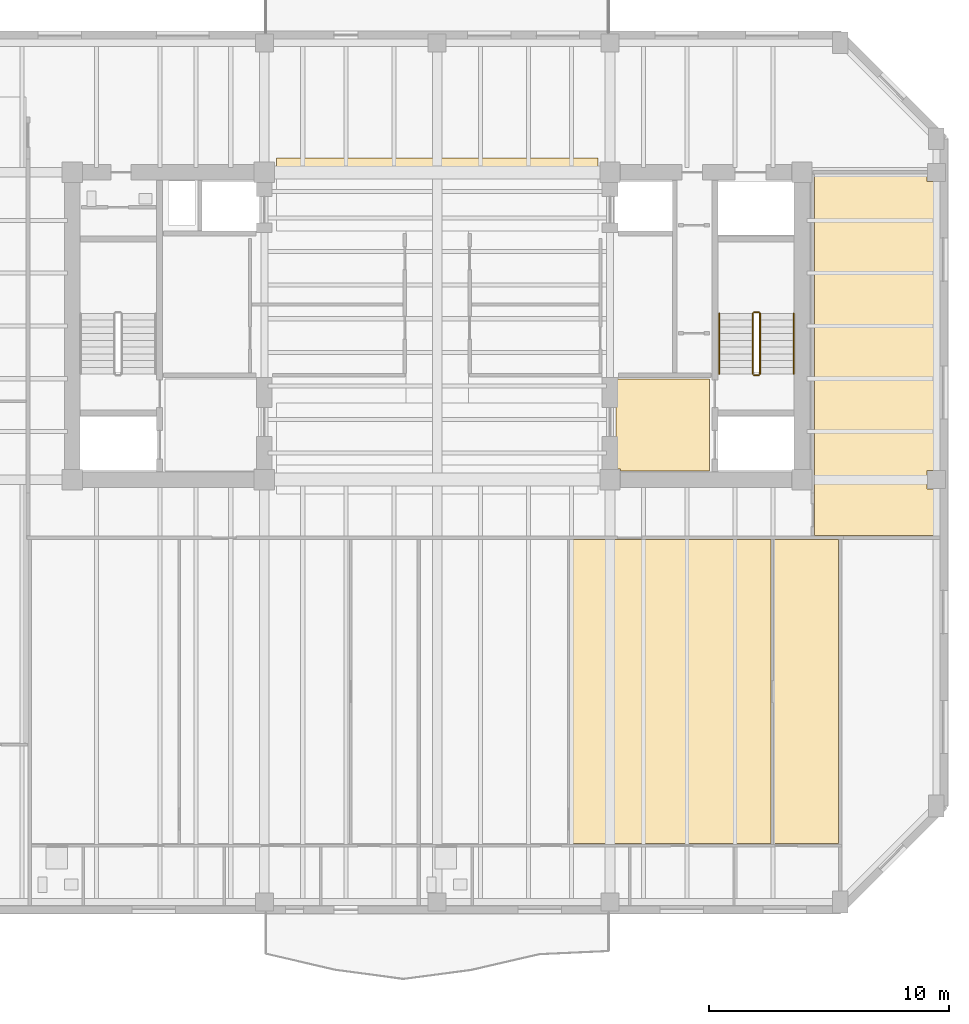
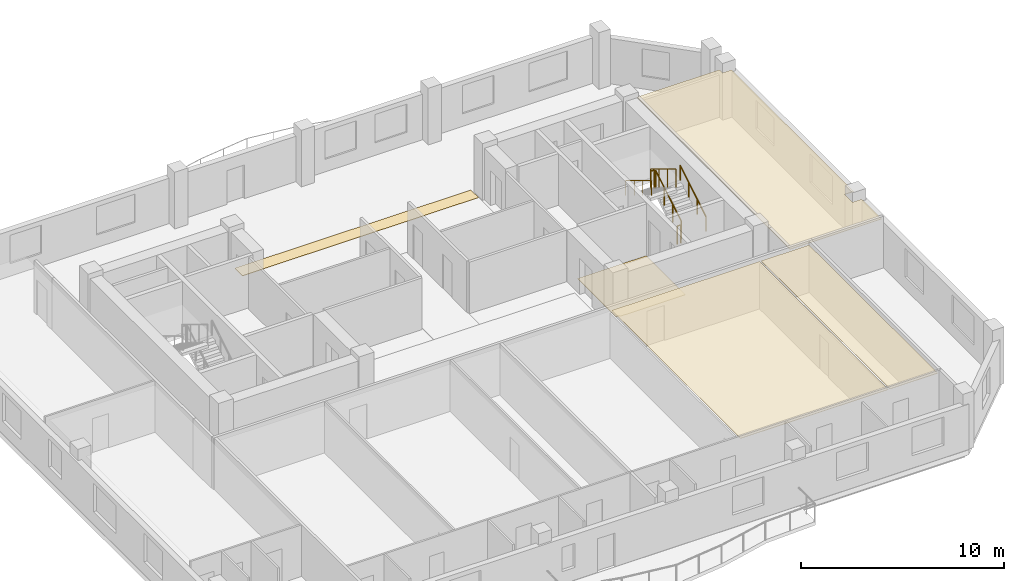
# One storey, part 9 of 11: 6 railings, 5 coverings.
"""IFC4 building model written with IfcOpenShell, lengths in metres."""

from ifc_helpers import new_model, si_unit, direction, frame, origin, origin_2d, place, context, subcontext, project, spatial, polyline, circle, outline, extrude, material, layer, layer_set, type_object, element, save


model = new_model("IFC4")

# Units and contexts
model_context = context("Model", 3, precision=1e-05, world=origin(), true_north=direction((0.0, 1.0)))
body_context = subcontext(model_context, "Body", "Model", "MODEL_VIEW")
ifc_project = project(units=[si_unit("LENGTHUNIT", "METRE"), si_unit("AREAUNIT", "SQUARE_METRE"), si_unit("VOLUMEUNIT", "CUBIC_METRE"), si_unit("PLANEANGLEUNIT", "RADIAN"), si_unit("MASSUNIT", "GRAM", prefix="KILO")], contexts=[model_context])

# Site, building, storey
site_placement = place(None, origin())
site = spatial("IfcSite", under=ifc_project, at=site_placement, CompositionType="ELEMENT")
building_placement = place(site_placement, origin())
building = spatial("IfcBuilding", under=site, at=building_placement, Name="Kranthara Brick Stack", CompositionType="ELEMENT")
storey_placement = place(building_placement, frame((0.0, 0.0, 210.89990234375)))
storey = spatial("IfcBuildingStorey", under=building, at=storey_placement, Name="L54", CompositionType="ELEMENT", Elevation=210.89990234375)

# Coverings
ifc_material_1 = material(Name="Perforated mineral-fibre acoustic ceiling tile", Category="other")
ifc_layer_1 = layer(ifc_material_1, 0.02490234375)
ifc_layer_set_1 = layer_set([ifc_layer_1], Name="Perforated mineral-fibre acoustic ceiling tile")
covering_type_1 = type_object("IfcCoveringType", Name="COV-CEIL-ACOUSTIC", PredefinedType="CEILING", material=ifc_layer_set_1)
covering_1_placement = place(storey_placement, frame((0.0, 0.0, 2.830078125)))
element("IfcCovering", 1, at=covering_1_placement, inside=storey, type_object=covering_type_1, Name="L54 Unit L54B Bedroom 3 Acoustic Ceiling", PredefinedType="CEILING", context=body_context, shape_type="SweptSolid", body=[
    extrude(outline(polyline([(44.719970703125, 5.6298828125), (44.719970703125, 18.300048828125), (42.008056640625, 18.300048828125), (42.008056640625, 5.6298828125), (44.719970703125, 5.6298828125)])), origin(), (0.0, 0.0, 1.0), 0.02490234375),
])
covering_2_placement = place(storey_placement, frame((0.0, 0.0, 2.830078125)))
element("IfcCovering", 2, at=covering_2_placement, inside=storey, type_object=covering_type_1, Name="L54 Unit L54B Private Study Room Acoustic Ceiling", PredefinedType="CEILING", context=body_context, shape_type="SweptSolid", body=[
    extrude(outline(polyline([(41.907958984375, 5.6298828125), (41.907958984375, 18.300048828125), (33.52001953125, 18.300048828125), (33.52001953125, 5.6298828125), (41.907958984375, 5.6298828125)])), origin(), (0.0, 0.0, 1.0), 0.02490234375),
])
covering_3_placement = place(storey_placement, frame((0.0, 0.0, 2.830078125)))
element("IfcCovering", 3, at=covering_3_placement, inside=storey, type_object=covering_type_1, Name="L54 L54 East Panoramic Sky Conservatory Acoustic Ceiling", PredefinedType="CEILING", context=body_context, shape_type="SweptSolid", body=[
    extrude(outline(polyline([(43.72998046875, 18.4599609375), (43.72998046875, 33.52001953125), (48.4150390625, 33.52001953125), (48.4150390625, 33.215087890625), (48.929931640625, 33.215087890625), (48.929931640625, 21.18505859375), (48.4150390625, 21.18505859375), (48.4150390625, 20.4150390625), (48.929931640625, 20.4150390625), (48.929931640625, 18.4599609375), (43.72998046875, 18.4599609375)])), origin(), (0.0, 0.0, 1.0), 0.02490234375),
])
ifc_material_2 = material(Name="Honed terrazzo and porcelain floor finish", Category="stone")
ifc_layer_2 = layer(ifc_material_2, 0.030029296875)
ifc_layer_set_2 = layer_set([ifc_layer_2], Name="Honed terrazzo and porcelain floor finish")
covering_type_2 = type_object("IfcCoveringType", Name="COV-FLOR-STONE", PredefinedType="FLOORING", material=ifc_layer_set_2)
covering_4_placement = place(storey_placement, origin())
element("IfcCovering", 4, at=covering_4_placement, inside=storey, type_object=covering_type_2, Name="L54 Lift Lobby Stone Flooring", PredefinedType="FLOORING", context=body_context, shape_type="SweptSolid", body=[
    extrude(outline(polyline([(35.449951171875, 25.0), (39.35009765625, 25.0), (39.35009765625, 21.14990234375), (35.635009765625, 21.14990234375), (35.635009765625, 21.235107421875), (35.449951171875, 21.235107421875), (35.449951171875, 25.0)])), origin(), (0.0, 0.0, 1.0), 0.030029296875),
])
covering_5_placement = place(storey_placement, origin())
element("IfcCovering", 5, at=covering_5_placement, inside=storey, type_object=covering_type_2, Name="L54 Lift Lobby Stone Flooring", PredefinedType="FLOORING", context=body_context, shape_type="SweptSolid", body=[
    extrude(outline(polyline([(34.699951171875, 33.449951171875), (21.300048828125, 33.449951171875), (21.300048828125, 34.199951171875), (34.699951171875, 34.199951171875), (34.699951171875, 33.449951171875)])), origin(), (0.0, 0.0, 1.0), 0.030029296875),
])

# Railings
ifc_material_3 = material(Name="Painted galvanized steel stair guardrail", Category="steel")
railing_type_1 = type_object("IfcRailingType", Name="RL-STAIR-GUARD-1100", PredefinedType="GUARDRAIL", material=ifc_material_3)
railing_1_placement = place(storey_placement, frame((41.449951171875, 25.199951171875, 0.170166015625)))
element("IfcRailing", 6, at=railing_1_placement, inside=storey, type_object=railing_type_1, Name="L54 ST02 stair guard 1", PredefinedType="GUARDRAIL", context=body_context, shape_type="SweptSolid", body=[
    extrude(circle(Radius=0.02392578125, at=origin_2d()), frame((0.0, 0.0, 1.076171875), z_axis=(0.0, 0.85478489116, 0.518982456201), x_axis=(-1.0, 0.0, 0.0)), (0.0, 0.0, 1.0), 2.9482421875),
    extrude(circle(Radius=0.02099609375, at=origin_2d()), origin(), (0.0, 0.0, 1.0), 1.052001953125),
    extrude(circle(Radius=0.02099609375, at=origin_2d()), frame((0.0, 0.840087890625, 0.510009765625)), (0.0, 0.0, 1.0), 1.052001953125),
    extrude(circle(Radius=0.02099609375, at=origin_2d()), frame((0.0, 1.679931640625, 1.02001953125)), (0.0, 0.0, 1.0), 1.052001953125),
    extrude(circle(Radius=0.02099609375, at=origin_2d()), frame((0.0, 2.52001953125, 1.530029296875)), (0.0, 0.0, 1.0), 1.052001953125),
])
railing_2_placement = place(storey_placement, frame((41.39990234375, 27.77001953125, 1.7001953125)))
element("IfcRailing", 7, at=railing_2_placement, inside=storey, type_object=railing_type_1, Name="L54 ST02 stair guard 2", PredefinedType="GUARDRAIL", context=body_context, shape_type="SweptSolid", body=[
    extrude(circle(Radius=0.02392578125, at=origin_2d()), frame((0.0, 0.0, 1.076171875), z_axis=(-1.0, 0.0, 0.0), x_axis=(0.0, -1.0, 0.0)), (0.0, 0.0, 1.0), 0.199951171875),
    extrude(circle(Radius=0.02099609375, at=origin_2d()), origin(), (0.0, 0.0, 1.0), 1.052001953125),
    extrude(circle(Radius=0.02099609375, at=origin_2d()), frame((-0.199951171875, 0.0, 0.0)), (0.0, 0.0, 1.0), 1.052001953125),
])
railing_3_placement = place(storey_placement, frame((41.14990234375, 27.719970703125, 1.8701171875)))
element("IfcRailing", 8, at=railing_3_placement, inside=storey, type_object=railing_type_1, Name="L54 ST02 stair guard 3", PredefinedType="GUARDRAIL", context=body_context, shape_type="SweptSolid", body=[
    extrude(circle(Radius=0.02392578125, at=origin_2d()), frame((0.0, 0.0, 1.076171875), z_axis=(0.0, -0.85478489116, 0.518982456201), x_axis=(1.0, 0.0, 0.0)), (0.0, 0.0, 1.0), 2.9482421875),
    extrude(circle(Radius=0.02099609375, at=origin_2d()), origin(), (0.0, 0.0, 1.0), 1.052001953125),
    extrude(circle(Radius=0.02099609375, at=origin_2d()), frame((0.0, -0.840087890625, 0.510009765625)), (0.0, 0.0, 1.0), 1.052001953125),
    extrude(circle(Radius=0.02099609375, at=origin_2d()), frame((0.0, -1.679931640625, 1.02001953125)), (0.0, 0.0, 1.0), 1.052001953125),
    extrude(circle(Radius=0.02099609375, at=origin_2d()), frame((0.0, -2.52001953125, 1.530029296875)), (0.0, 0.0, 1.0), 1.052001953125),
])
railing_4_placement = place(storey_placement, frame((41.39990234375, 25.14990234375, 0.0)))
element("IfcRailing", 9, at=railing_4_placement, inside=storey, type_object=railing_type_1, Name="L54 ST02 stair guard 4", PredefinedType="GUARDRAIL", context=body_context, shape_type="SweptSolid", body=[
    extrude(circle(Radius=0.02392578125, at=origin_2d()), frame((0.0, 0.0, 1.076171875), z_axis=(-1.0, 0.0, 0.0), x_axis=(0.0, -1.0, 0.0)), (0.0, 0.0, 1.0), 0.199951171875),
    extrude(circle(Radius=0.02099609375, at=origin_2d()), origin(), (0.0, 0.0, 1.0), 1.052001953125),
    extrude(circle(Radius=0.02099609375, at=origin_2d()), frame((-0.199951171875, 0.0, 0.0)), (0.0, 0.0, 1.0), 1.052001953125),
])
ifc_material_4 = material(Name="Brushed stainless steel tubular handrail", Category="steel")
railing_type_2 = type_object("IfcRailingType", Name="RL-STAIR-HAND-900", PredefinedType="HANDRAIL", material=ifc_material_4)
railing_5_placement = place(storey_placement, frame((42.85009765625, 25.199951171875, 0.170166015625)))
element("IfcRailing", 10, at=railing_5_placement, inside=storey, type_object=railing_type_2, Name="L54 ST02 stair handrail 1", PredefinedType="HANDRAIL", context=body_context, shape_type="SweptSolid", body=[
    extrude(circle(Radius=0.02392578125, at=origin_2d()), frame((0.0, 0.0, 0.8759765625), z_axis=(0.0, 0.85478489116, 0.518982456201), x_axis=(-1.0, 0.0, 0.0)), (0.0, 0.0, 1.0), 2.9482421875),
    extrude(circle(Radius=0.02099609375, at=origin_2d()), origin(), (0.0, 0.0, 1.0), 0.851806640625),
    extrude(circle(Radius=0.02099609375, at=origin_2d()), frame((0.0, 0.840087890625, 0.510009765625)), (0.0, 0.0, 1.0), 0.851806640625),
    extrude(circle(Radius=0.02099609375, at=origin_2d()), frame((0.0, 1.679931640625, 1.02001953125)), (0.0, 0.0, 1.0), 0.851806640625),
    extrude(circle(Radius=0.02099609375, at=origin_2d()), frame((0.0, 2.52001953125, 1.530029296875)), (0.0, 0.0, 1.0), 0.851806640625),
])
railing_6_placement = place(storey_placement, frame((39.75, 27.719970703125, 1.8701171875)))
element("IfcRailing", 11, at=railing_6_placement, inside=storey, type_object=railing_type_2, Name="L54 ST02 stair handrail 2", PredefinedType="HANDRAIL", context=body_context, shape_type="SweptSolid", body=[
    extrude(circle(Radius=0.02392578125, at=origin_2d()), frame((0.0, 0.0, 0.8759765625), z_axis=(0.0, -0.85478489116, 0.518982456201), x_axis=(1.0, 0.0, 0.0)), (0.0, 0.0, 1.0), 2.9482421875),
    extrude(circle(Radius=0.02099609375, at=origin_2d()), origin(), (0.0, 0.0, 1.0), 0.851806640625),
    extrude(circle(Radius=0.02099609375, at=origin_2d()), frame((0.0, -0.840087890625, 0.510009765625)), (0.0, 0.0, 1.0), 0.851806640625),
    extrude(circle(Radius=0.02099609375, at=origin_2d()), frame((0.0, -1.679931640625, 1.02001953125)), (0.0, 0.0, 1.0), 0.851806640625),
    extrude(circle(Radius=0.02099609375, at=origin_2d()), frame((0.0, -2.52001953125, 1.530029296875)), (0.0, 0.0, 1.0), 0.851806640625),
])

save(model, "model.ifc")
